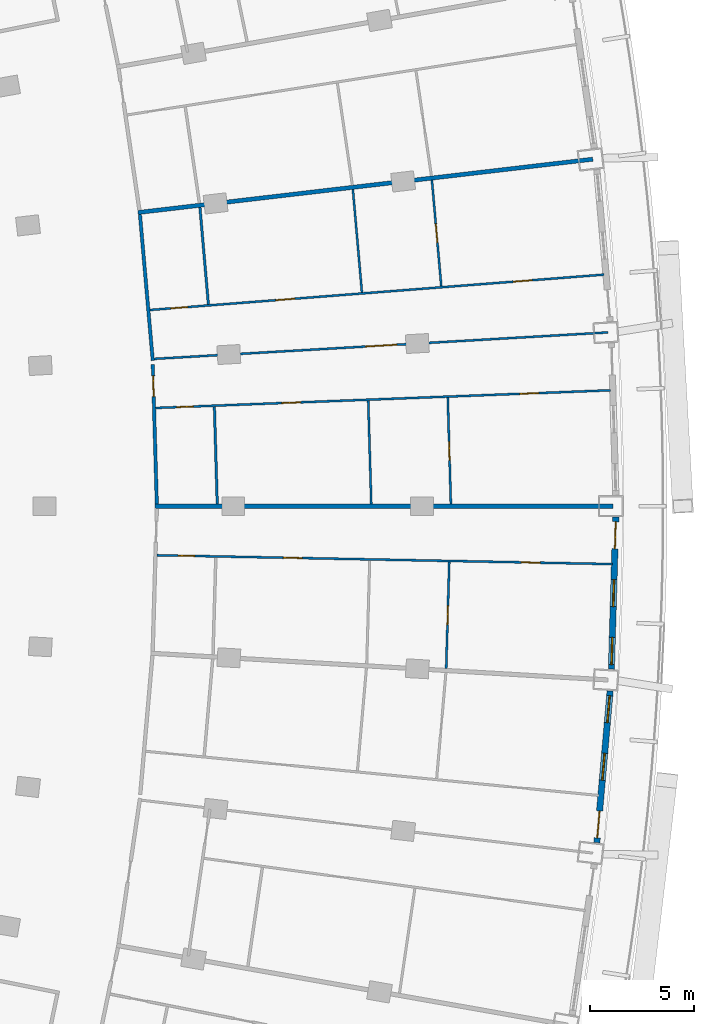
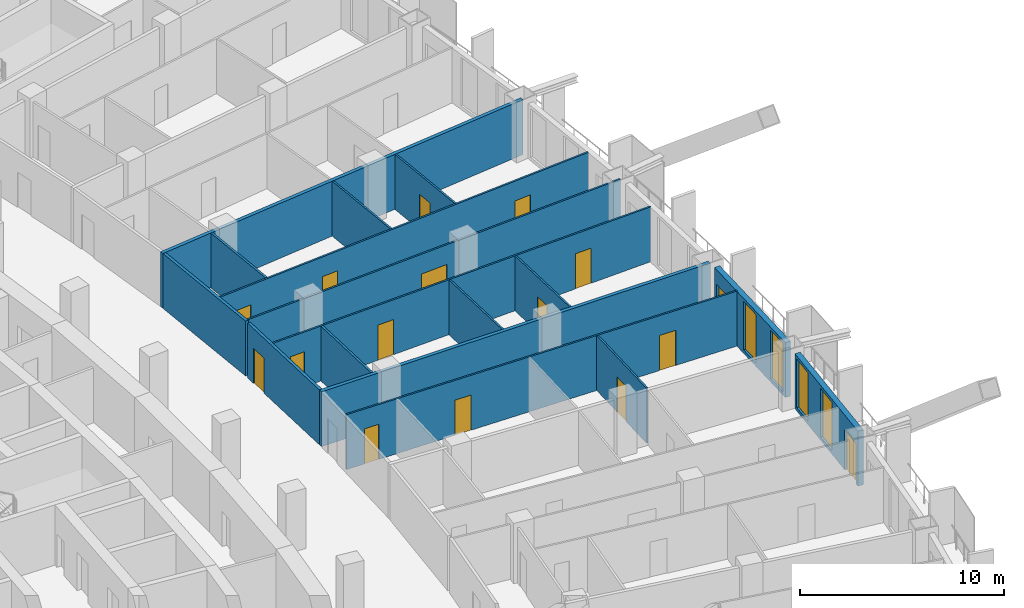
# One storey, part 18 of 25: 17 walls, 16 doors, 4 windows, 20 openings.
"""IFC4 building model written with IfcOpenShell, lengths in metres."""

from ifc_helpers import new_model, si_unit, direction, frame, frame_2d, origin, place, context, subcontext, project, spatial, rectangle, extrude, material, layer, layer_set, type_object, element, fill, save


model = new_model("IFC4")

# Units and contexts
model_context = context("Model", 3, precision=1e-05, world=origin(), true_north=direction((0.0, 1.0)))
body_context = subcontext(model_context, "Body", "Model", "MODEL_VIEW")
ifc_project = project(units=[si_unit("LENGTHUNIT", "METRE"), si_unit("AREAUNIT", "SQUARE_METRE"), si_unit("VOLUMEUNIT", "CUBIC_METRE"), si_unit("PLANEANGLEUNIT", "RADIAN"), si_unit("MASSUNIT", "GRAM", prefix="KILO")], contexts=[model_context])

# Site, building, storey
site_placement = place(None, origin())
site = spatial("IfcSite", under=ifc_project, at=site_placement, CompositionType="ELEMENT")
building_placement = place(site_placement, origin())
building = spatial("IfcBuilding", under=site, at=building_placement, Name="Alderwake Tower", CompositionType="ELEMENT")
storey_placement = place(building_placement, frame((0.0, 0.0, 42.800048828125)))
storey = spatial("IfcBuildingStorey", under=building, at=storey_placement, Name="L09", CompositionType="ELEMENT", Elevation=42.800048828125)

# Wall
ifc_material_1 = material(Name="Gypsum board on metal studs, rated")
ifc_layer_1 = layer(ifc_material_1, 0.159912109375)
ifc_layer_set_1 = layer_set([ifc_layer_1], Name="Corridor wall 160")
wall_type_1 = type_object("IfcWallType", Name="Corridor wall 160", PredefinedType="PARTITIONING", material=ifc_layer_set_1)
wall_1_placement = place(storey_placement, frame((41.001953125, 67.9873046875, 0.0), z_axis=(0.0, 0.0, 1.0), x_axis=(-0.087430787456, 0.996170596537, 0.0)))
element("IfcWall", 1, at=wall_1_placement, inside=storey, type_object=wall_type_1, Name="WL/L09/W38", PredefinedType="PARTITIONING", context=body_context, shape_type="SweptSolid", body=[
    extrude(rectangle(XDim=7.048095703125, YDim=0.159912109375, at=frame_2d((3.52392578125, 0.0))), origin(), (0.0, 0.0, 1.0), 3.280029296875),
])

# Wall, opening, door
wall_2_placement = place(storey_placement, frame((41.002685546875, 67.80029296875, 0.0), z_axis=(0.0, 0.0, 1.0), x_axis=(0.0288425569, -0.999583966914, 0.0)))
wall_2 = element("IfcWall", 2, at=wall_2_placement, inside=storey, type_object=wall_type_1, Name="WL/L09/W39", PredefinedType="PARTITIONING", context=body_context, shape_type="SweptSolid", body=[
    extrude(rectangle(XDim=6.703857421875, YDim=0.159912109375, at=frame_2d((3.35205078125, 0.0))), origin(), (0.0, 0.0, 1.0), 3.280029296875),
])
opening_1_placement = place(wall_2_placement, frame((0.54541015625, 0.0, 0.0)))
opening_1 = element("IfcOpeningElement", 3, at=opening_1_placement, cuts=wall_2, Name="Opening R02-U08.3", PredefinedType="OPENING", context=body_context, shape_type="SweptSolid", body=[
    extrude(rectangle(XDim=1.0, YDim=2.10009765625, at=frame_2d((0.5, 1.050048828125))), frame((0.0, 0.08984375, 0.0), z_axis=(0.0, -1.0, 0.0), x_axis=(1.0, 0.0, 0.0)), (0.0, 0.0, 1.0), 0.179931640625),
])
ifc_material_2 = material(Name="Solid timber leaf in steel frame", Category="steel")
door_type_1 = type_object("IfcDoorType", Name="Flat entrance door 1000 fire-rated", OperationType="SINGLE_SWING_LEFT", PredefinedType="DOOR", material=ifc_material_2)
door_1_placement = place(opening_1_placement, origin())
door_1 = element("IfcDoor", 4, at=door_1_placement, inside=storey, type_object=door_type_1, Name="DR/L09/U08.3", OperationType="SINGLE_SWING_LEFT", OverallHeight=2.10009765625, OverallWidth=1.0, PredefinedType="DOOR", context=body_context, shape_type="SweptSolid", body=[
    extrude(rectangle(XDim=1.0, YDim=2.10009765625, at=frame_2d((0.5, 1.050048828125))), frame((0.0, 0.02490234375, 0.0), z_axis=(0.0, -1.0, 0.0), x_axis=(1.0, 0.0, 0.0)), (0.0, 0.0, 1.0), 0.050048828125),
])
fill(opening_1, door_1)

# Wall, openings, door, windows
ifc_material_3 = material(Name="Precast concrete C50/60 spandrel panel", Category="concrete")
ifc_layer_2 = layer(ifc_material_3, 0.300048828125)
ifc_layer_set_2 = layer_set([ifc_layer_2], Name="External wall EW1 Precast concrete C50/60 spandrel")
wall_type_2 = type_object("IfcWallType", Name="External wall EW1 Precast concrete C50/60 spandrel", PredefinedType="SOLIDWALL", material=ifc_layer_set_2)
wall_3_placement = place(storey_placement, frame((62.322021484375, 44.847900390625, 0.0), z_axis=(0.0, 0.0, 1.0), x_axis=(0.087383747715, 0.996174723949, 0.0)))
wall_3 = element("IfcWall", 5, at=wall_3_placement, inside=storey, type_object=wall_type_2, Name="External wall 15", PredefinedType="SOLIDWALL", context=body_context, shape_type="SweptSolid", body=[
    extrude(rectangle(XDim=7.305908203125, YDim=0.300048828125, at=frame_2d((3.65283203125, 0.0))), origin(), (0.0, 0.0, 1.0), 3.280029296875),
])
opening_2_placement = place(wall_3_placement, frame((0.222900390625, 0.0, 0.0)))
opening_2 = element("IfcOpeningElement", 6, at=opening_2_placement, cuts=wall_3, Name="Opening D06", PredefinedType="OPENING", context=body_context, shape_type="SweptSolid", body=[
    extrude(rectangle(XDim=1.300048828125, YDim=2.39990234375, at=frame_2d((0.64990234375, 1.199951171875))), frame((0.0, 0.159912109375, 0.0), z_axis=(0.0, -1.0, 0.0), x_axis=(1.0, 0.0, 0.0)), (0.0, 0.0, 1.0), 0.320068359375),
])
opening_3_placement = place(wall_3_placement, frame((3.0029296875, 0.0, 0.199951171875)))
opening_3 = element("IfcOpeningElement", 7, at=opening_3_placement, cuts=wall_3, Name="Opening W1", PredefinedType="OPENING", context=body_context, shape_type="SweptSolid", body=[
    extrude(rectangle(XDim=1.300048828125, YDim=2.89990234375, at=frame_2d((0.64990234375, 1.449951171875))), frame((0.0, 0.159912109375, 0.0), z_axis=(0.0, -1.0, 0.0), x_axis=(1.0, 0.0, 0.0)), (0.0, 0.0, 1.0), 0.320068359375),
])
opening_4_placement = place(wall_3_placement, frame((5.783203125, 0.0, 0.199951171875)))
opening_4 = element("IfcOpeningElement", 8, at=opening_4_placement, cuts=wall_3, Name="Opening W1", PredefinedType="OPENING", context=body_context, shape_type="SweptSolid", body=[
    extrude(rectangle(XDim=1.300048828125, YDim=2.89990234375, at=frame_2d((0.64990234375, 1.449951171875))), frame((0.0, 0.159912109375, 0.0), z_axis=(0.0, -1.0, 0.0), x_axis=(1.0, 0.0, 0.0)), (0.0, 0.0, 1.0), 0.320068359375),
])
ifc_material_4 = material(Name="Bronze tinted glass in aluminium frame", Category="aluminium")
door_type_2 = type_object("IfcDoorType", Name="Balcony door BD sliding", OperationType="SLIDING_TO_LEFT", PredefinedType="DOOR", material=ifc_material_4)
door_2_placement = place(opening_2_placement, origin())
door_2 = element("IfcDoor", 9, at=door_2_placement, inside=storey, type_object=door_type_2, Name="Door D06", OperationType="SLIDING_TO_LEFT", OverallHeight=2.39990234375, OverallWidth=1.300048828125, PredefinedType="DOOR", context=body_context, shape_type="SweptSolid", body=[
    extrude(rectangle(XDim=1.300048828125, YDim=2.39990234375, at=frame_2d((0.64990234375, 1.199951171875))), frame((0.0, 0.02490234375, 0.0), z_axis=(0.0, -1.0, 0.0), x_axis=(1.0, 0.0, 0.0)), (0.0, 0.0, 1.0), 0.050048828125),
])
fill(opening_2, door_2)
ifc_material_5 = material(Name="Bronze tinted glass in aluminium frame", Category="aluminium")
window_type = type_object("IfcWindowType", Name="Window W1 tall fixed and vent", PartitioningType="DOUBLE_PANEL_VERTICAL", PredefinedType="WINDOW", material=ifc_material_5)
window_1_placement = place(opening_3_placement, origin())
window_1 = element("IfcWindow", 10, at=window_1_placement, inside=storey, type_object=window_type, Name="Window W1 tall fixed and vent", OverallHeight=2.89990234375, OverallWidth=1.300048828125, PartitioningType="DOUBLE_PANEL_VERTICAL", PredefinedType="WINDOW", context=body_context, shape_type="SweptSolid", body=[
    extrude(rectangle(XDim=1.300048828125, YDim=2.89990234375, at=frame_2d((0.64990234375, 1.449951171875))), frame((0.0, 0.030029296875, 0.0), z_axis=(0.0, -1.0, 0.0), x_axis=(1.0, 0.0, 0.0)), (0.0, 0.0, 1.0), 0.06005859375),
])
fill(opening_3, window_1)
window_2_placement = place(opening_4_placement, origin())
window_2 = element("IfcWindow", 11, at=window_2_placement, inside=storey, type_object=window_type, Name="Window W1 tall fixed and vent", OverallHeight=2.89990234375, OverallWidth=1.300048828125, PartitioningType="DOUBLE_PANEL_VERTICAL", PredefinedType="WINDOW", context=body_context, shape_type="SweptSolid", body=[
    extrude(rectangle(XDim=1.300048828125, YDim=2.89990234375, at=frame_2d((0.64990234375, 1.449951171875))), frame((0.0, 0.030029296875, 0.0), z_axis=(0.0, -1.0, 0.0), x_axis=(1.0, 0.0, 0.0)), (0.0, 0.0, 1.0), 0.06005859375),
])
fill(opening_4, window_2)

wall_4_placement = place(storey_placement, frame((63.021728515625, 53.1728515625, 0.0), z_axis=(0.0, 0.0, 1.0), x_axis=(0.029139800133, 0.999575345859, 0.0)))
wall_4 = element("IfcWall", 12, at=wall_4_placement, inside=storey, type_object=wall_type_2, Name="External wall 16", PredefinedType="SOLIDWALL", context=body_context, shape_type="SweptSolid", body=[
    extrude(rectangle(XDim=7.305908203125, YDim=0.300048828125, at=frame_2d((3.65283203125, 0.0))), origin(), (0.0, 0.0, 1.0), 3.280029296875),
])
opening_5_placement = place(wall_4_placement, frame((0.222900390625, 0.0, 0.199951171875)))
opening_5 = element("IfcOpeningElement", 13, at=opening_5_placement, cuts=wall_4, Name="Opening W1", PredefinedType="OPENING", context=body_context, shape_type="SweptSolid", body=[
    extrude(rectangle(XDim=1.300048828125, YDim=2.89990234375, at=frame_2d((0.64990234375, 1.449951171875))), frame((0.0, 0.159912109375, 0.0), z_axis=(0.0, -1.0, 0.0), x_axis=(1.0, 0.0, 0.0)), (0.0, 0.0, 1.0), 0.320068359375),
])
opening_6_placement = place(wall_4_placement, frame((3.0029296875, 0.0, 0.199951171875)))
opening_6 = element("IfcOpeningElement", 14, at=opening_6_placement, cuts=wall_4, Name="Opening W1", PredefinedType="OPENING", context=body_context, shape_type="SweptSolid", body=[
    extrude(rectangle(XDim=1.300048828125, YDim=2.89990234375, at=frame_2d((0.64990234375, 1.449951171875))), frame((0.0, 0.159912109375, 0.0), z_axis=(0.0, -1.0, 0.0), x_axis=(1.0, 0.0, 0.0)), (0.0, 0.0, 1.0), 0.320068359375),
])
opening_7_placement = place(wall_4_placement, frame((5.783203125, 0.0, 0.0)))
opening_7 = element("IfcOpeningElement", 15, at=opening_7_placement, cuts=wall_4, Name="Opening D07", PredefinedType="OPENING", context=body_context, shape_type="SweptSolid", body=[
    extrude(rectangle(XDim=1.300048828125, YDim=2.39990234375, at=frame_2d((0.64990234375, 1.199951171875))), frame((0.0, 0.159912109375, 0.0), z_axis=(0.0, -1.0, 0.0), x_axis=(1.0, 0.0, 0.0)), (0.0, 0.0, 1.0), 0.320068359375),
])
door_3_placement = place(opening_7_placement, origin())
door_3 = element("IfcDoor", 16, at=door_3_placement, inside=storey, type_object=door_type_2, Name="Door D07", OperationType="SLIDING_TO_LEFT", OverallHeight=2.39990234375, OverallWidth=1.300048828125, PredefinedType="DOOR", context=body_context, shape_type="SweptSolid", body=[
    extrude(rectangle(XDim=1.300048828125, YDim=2.39990234375, at=frame_2d((0.64990234375, 1.199951171875))), frame((0.0, 0.02490234375, 0.0), z_axis=(0.0, -1.0, 0.0), x_axis=(1.0, 0.0, 0.0)), (0.0, 0.0, 1.0), 0.050048828125),
])
fill(opening_7, door_3)
window_3_placement = place(opening_5_placement, origin())
window_3 = element("IfcWindow", 17, at=window_3_placement, inside=storey, type_object=window_type, Name="Window W1 tall fixed and vent", OverallHeight=2.89990234375, OverallWidth=1.300048828125, PartitioningType="DOUBLE_PANEL_VERTICAL", PredefinedType="WINDOW", context=body_context, shape_type="SweptSolid", body=[
    extrude(rectangle(XDim=1.300048828125, YDim=2.89990234375, at=frame_2d((0.64990234375, 1.449951171875))), frame((0.0, 0.030029296875, 0.0), z_axis=(0.0, -1.0, 0.0), x_axis=(1.0, 0.0, 0.0)), (0.0, 0.0, 1.0), 0.06005859375),
])
fill(opening_5, window_3)
window_4_placement = place(opening_6_placement, origin())
window_4 = element("IfcWindow", 18, at=window_4_placement, inside=storey, type_object=window_type, Name="Window W1 tall fixed and vent", OverallHeight=2.89990234375, OverallWidth=1.300048828125, PartitioningType="DOUBLE_PANEL_VERTICAL", PredefinedType="WINDOW", context=body_context, shape_type="SweptSolid", body=[
    extrude(rectangle(XDim=1.300048828125, YDim=2.89990234375, at=frame_2d((0.64990234375, 1.449951171875))), frame((0.0, 0.030029296875, 0.0), z_axis=(0.0, -1.0, 0.0), x_axis=(1.0, 0.0, 0.0)), (0.0, 0.0, 1.0), 0.06005859375),
])
fill(opening_6, window_4)

# Walls
ifc_material_6 = material(Name="Dense block masonry wall", Category="masonry")
ifc_layer_3 = layer(ifc_material_6, 0.199951171875)
ifc_layer_set_3 = layer_set([ifc_layer_3], Name="Party wall 200")
wall_type_3 = type_object("IfcWallType", Name="Party wall 200", PredefinedType="SOLIDWALL", material=ifc_layer_set_3)
wall_5_placement = place(storey_placement, frame((40.297607421875, 75.0986328125, 0.0), z_axis=(0.0, 0.0, 1.0), x_axis=(0.993197155968, 0.116444876987, 0.0)))
element("IfcWall", 19, at=wall_5_placement, inside=storey, type_object=wall_type_3, Name="WL/L09/W06", PredefinedType="SOLIDWALL", context=body_context, shape_type="SweptSolid", body=[
    extrude(rectangle(XDim=21.978759765625, YDim=0.199951171875, at=frame_2d((10.9892578125, 0.0))), origin(), (0.0, 0.0, 1.0), 3.280029296875),
])
wall_6_placement = place(storey_placement, frame((63.09912109375, 60.9990234375, 0.0), z_axis=(0.0, 0.0, 1.0), x_axis=(-1.0, 0.0, 0.0)))
element("IfcWall", 20, at=wall_6_placement, inside=storey, type_object=wall_type_3, Name="WL/L09/W11", PredefinedType="SOLIDWALL", context=body_context, shape_type="SweptSolid", body=[
    extrude(rectangle(XDim=21.980224609375, YDim=0.199951171875, at=frame_2d((10.990234375, 0.0))), origin(), (0.0, 0.0, 1.0), 3.280029296875),
])

# Wall, openings, doors
ifc_material_7 = material(Name="Gypsum board on metal studs")
ifc_layer_4 = layer(ifc_material_7, 0.10009765625)
ifc_layer_set_4 = layer_set([ifc_layer_4], Name="Unit partition 100")
wall_type_4 = type_object("IfcWallType", Name="Unit partition 100", PredefinedType="PARTITIONING", material=ifc_layer_set_4)
wall_7_placement = place(storey_placement, frame((40.867919921875, 70.419189453125, 0.0), z_axis=(0.0, 0.0, 1.0), x_axis=(0.996980121619, 0.077657176717, 0.0)))
wall_7 = element("IfcWall", 21, at=wall_7_placement, inside=storey, type_object=wall_type_4, Name="WL/L09/W70", PredefinedType="PARTITIONING", context=body_context, shape_type="SweptSolid", body=[
    extrude(rectangle(XDim=21.862060546875, YDim=0.10009765625, at=frame_2d((10.93115234375, 0.0))), origin(), (0.0, 0.0, 1.0), 3.280029296875),
])
opening_8_placement = place(wall_7_placement, frame((6.064697265625, 0.0, 0.0)))
opening_8 = element("IfcOpeningElement", 22, at=opening_8_placement, cuts=wall_7, Name="Opening R02-U08.6", PredefinedType="OPENING", context=body_context, shape_type="SweptSolid", body=[
    extrude(rectangle(XDim=0.89990234375, YDim=2.10009765625, at=frame_2d((0.449951171875, 1.050048828125))), frame((0.0, 0.06005859375, 0.0), z_axis=(0.0, -1.0, 0.0), x_axis=(1.0, 0.0, 0.0)), (0.0, 0.0, 1.0), 0.1201171875),
])
opening_9_placement = place(wall_7_placement, frame((1.009521484375, 0.0, 0.0)))
opening_9 = element("IfcOpeningElement", 23, at=opening_9_placement, cuts=wall_7, Name="Opening R02-U08.7", PredefinedType="OPENING", context=body_context, shape_type="SweptSolid", body=[
    extrude(rectangle(XDim=0.800048828125, YDim=2.10009765625, at=frame_2d((0.39990234375, 1.050048828125))), frame((0.0, 0.06005859375, 0.0), z_axis=(0.0, -1.0, 0.0), x_axis=(1.0, 0.0, 0.0)), (0.0, 0.0, 1.0), 0.1201171875),
])
opening_10_placement = place(wall_7_placement, frame((17.496826171875, 0.0, 0.0)))
opening_10 = element("IfcOpeningElement", 24, at=opening_10_placement, cuts=wall_7, Name="Opening R02-U08.8", PredefinedType="OPENING", context=body_context, shape_type="SweptSolid", body=[
    extrude(rectangle(XDim=0.89990234375, YDim=2.10009765625, at=frame_2d((0.449951171875, 1.050048828125))), frame((0.0, 0.06005859375, 0.0), z_axis=(0.0, -1.0, 0.0), x_axis=(1.0, 0.0, 0.0)), (0.0, 0.0, 1.0), 0.1201171875),
])
ifc_material_8 = material(Name="Painted timber leaf", Category="wood")
door_type_3 = type_object("IfcDoorType", Name="Bathroom door 800", OperationType="SINGLE_SWING_LEFT", PredefinedType="DOOR", material=ifc_material_8)
door_4_placement = place(opening_9_placement, origin())
door_4 = element("IfcDoor", 25, at=door_4_placement, inside=storey, type_object=door_type_3, Name="DR/L09/U08.7", OperationType="SINGLE_SWING_LEFT", OverallHeight=2.10009765625, OverallWidth=0.800048828125, PredefinedType="DOOR", context=body_context, shape_type="SweptSolid", body=[
    extrude(rectangle(XDim=0.800048828125, YDim=2.10009765625, at=frame_2d((0.39990234375, 1.050048828125))), frame((0.0, 0.02490234375, 0.0), z_axis=(0.0, -1.0, 0.0), x_axis=(1.0, 0.0, 0.0)), (0.0, 0.0, 1.0), 0.050048828125),
])
fill(opening_9, door_4)
ifc_material_9 = material(Name="Painted timber leaf", Category="wood")
door_type_4 = type_object("IfcDoorType", Name="Room door 900", OperationType="SINGLE_SWING_LEFT", PredefinedType="DOOR", material=ifc_material_9)
door_5_placement = place(opening_8_placement, origin())
door_5 = element("IfcDoor", 26, at=door_5_placement, inside=storey, type_object=door_type_4, Name="DR/L09/U08.6", OperationType="SINGLE_SWING_LEFT", OverallHeight=2.10009765625, OverallWidth=0.89990234375, PredefinedType="DOOR", context=body_context, shape_type="SweptSolid", body=[
    extrude(rectangle(XDim=0.89990234375, YDim=2.10009765625, at=frame_2d((0.449951171875, 1.050048828125))), frame((0.0, 0.02490234375, 0.0), z_axis=(0.0, -1.0, 0.0), x_axis=(1.0, 0.0, 0.0)), (0.0, 0.0, 1.0), 0.050048828125),
])
fill(opening_8, door_5)
door_6_placement = place(opening_10_placement, origin())
door_6 = element("IfcDoor", 27, at=door_6_placement, inside=storey, type_object=door_type_4, Name="DR/L09/U08.8", OperationType="SINGLE_SWING_LEFT", OverallHeight=2.10009765625, OverallWidth=0.89990234375, PredefinedType="DOOR", context=body_context, shape_type="SweptSolid", body=[
    extrude(rectangle(XDim=0.89990234375, YDim=2.10009765625, at=frame_2d((0.449951171875, 1.050048828125))), frame((0.0, 0.02490234375, 0.0), z_axis=(0.0, -1.0, 0.0), x_axis=(1.0, 0.0, 0.0)), (0.0, 0.0, 1.0), 0.050048828125),
])
fill(opening_10, door_6)

wall_8_placement = place(storey_placement, frame((62.988037109375, 66.56396484375, 0.0), z_axis=(0.0, 0.0, 1.0), x_axis=(-0.999245786786, -0.038831142015, 0.0)))
wall_8 = element("IfcWall", 28, at=wall_8_placement, inside=storey, type_object=wall_type_4, Name="WL/L09/W71", PredefinedType="PARTITIONING", context=body_context, shape_type="SweptSolid", body=[
    extrude(rectangle(XDim=21.86083984375, YDim=0.10009765625, at=frame_2d((10.930419921875, 0.0))), origin(), (0.0, 0.0, 1.0), 3.280029296875),
])
opening_11_placement = place(wall_8_placement, frame((14.8974609375, 0.0, 0.0)))
opening_11 = element("IfcOpeningElement", 29, at=opening_11_placement, cuts=wall_8, Name="Opening R02-U08.1", PredefinedType="OPENING", context=body_context, shape_type="SweptSolid", body=[
    extrude(rectangle(XDim=0.89990234375, YDim=2.10009765625, at=frame_2d((0.449951171875, 1.050048828125))), frame((0.0, 0.06005859375, 0.0), z_axis=(0.0, -1.0, 0.0), x_axis=(1.0, 0.0, 0.0)), (0.0, 0.0, 1.0), 0.1201171875),
])
opening_12_placement = place(wall_8_placement, frame((20.0517578125, 0.0, 0.0)))
opening_12 = element("IfcOpeningElement", 30, at=opening_12_placement, cuts=wall_8, Name="Opening R02-U08.4", PredefinedType="OPENING", context=body_context, shape_type="SweptSolid", body=[
    extrude(rectangle(XDim=0.800048828125, YDim=2.10009765625, at=frame_2d((0.39990234375, 1.050048828125))), frame((0.0, 0.06005859375, 0.0), z_axis=(0.0, -1.0, 0.0), x_axis=(1.0, 0.0, 0.0)), (0.0, 0.0, 1.0), 0.1201171875),
])
opening_13_placement = place(wall_8_placement, frame((3.46533203125, 0.0, 0.0)))
opening_13 = element("IfcOpeningElement", 31, at=opening_13_placement, cuts=wall_8, Name="Opening R02-U08.5", PredefinedType="OPENING", context=body_context, shape_type="SweptSolid", body=[
    extrude(rectangle(XDim=0.89990234375, YDim=2.10009765625, at=frame_2d((0.449951171875, 1.050048828125))), frame((0.0, 0.06005859375, 0.0), z_axis=(0.0, -1.0, 0.0), x_axis=(1.0, 0.0, 0.0)), (0.0, 0.0, 1.0), 0.1201171875),
])
door_7_placement = place(opening_12_placement, origin())
door_7 = element("IfcDoor", 32, at=door_7_placement, inside=storey, type_object=door_type_3, Name="DR/L09/U08.4", OperationType="SINGLE_SWING_LEFT", OverallHeight=2.10009765625, OverallWidth=0.800048828125, PredefinedType="DOOR", context=body_context, shape_type="SweptSolid", body=[
    extrude(rectangle(XDim=0.800048828125, YDim=2.10009765625, at=frame_2d((0.39990234375, 1.050048828125))), frame((0.0, 0.02490234375, 0.0), z_axis=(0.0, -1.0, 0.0), x_axis=(1.0, 0.0, 0.0)), (0.0, 0.0, 1.0), 0.050048828125),
])
fill(opening_12, door_7)
door_8_placement = place(opening_11_placement, origin())
door_8 = element("IfcDoor", 33, at=door_8_placement, inside=storey, type_object=door_type_4, Name="DR/L09/U08.1", OperationType="SINGLE_SWING_LEFT", OverallHeight=2.10009765625, OverallWidth=0.89990234375, PredefinedType="DOOR", context=body_context, shape_type="SweptSolid", body=[
    extrude(rectangle(XDim=0.89990234375, YDim=2.10009765625, at=frame_2d((0.449951171875, 1.050048828125))), frame((0.0, 0.02490234375, 0.0), z_axis=(0.0, -1.0, 0.0), x_axis=(1.0, 0.0, 0.0)), (0.0, 0.0, 1.0), 0.050048828125),
])
fill(opening_11, door_8)
door_9_placement = place(opening_13_placement, origin())
door_9 = element("IfcDoor", 34, at=door_9_placement, inside=storey, type_object=door_type_4, Name="DR/L09/U08.5", OperationType="SINGLE_SWING_LEFT", OverallHeight=2.10009765625, OverallWidth=0.89990234375, PredefinedType="DOOR", context=body_context, shape_type="SweptSolid", body=[
    extrude(rectangle(XDim=0.89990234375, YDim=2.10009765625, at=frame_2d((0.449951171875, 1.050048828125))), frame((0.0, 0.02490234375, 0.0), z_axis=(0.0, -1.0, 0.0), x_axis=(1.0, 0.0, 0.0)), (0.0, 0.0, 1.0), 0.050048828125),
])
fill(opening_13, door_9)

wall_9_placement = place(storey_placement, frame((63.069091796875, 58.218017578125, 0.0), z_axis=(0.0, 0.0, 1.0), x_axis=(-0.999811651936, 0.019407747262, 0.0)))
wall_9 = element("IfcWall", 35, at=wall_9_placement, inside=storey, type_object=wall_type_4, Name="WL/L09/W72", PredefinedType="PARTITIONING", context=body_context, shape_type="SweptSolid", body=[
    extrude(rectangle(XDim=21.86328125, YDim=0.10009765625, at=frame_2d((10.931640625, 0.0))), origin(), (0.0, 0.0, 1.0), 3.280029296875),
])
opening_14_placement = place(wall_9_placement, frame((14.897216796875, 0.0, 0.0)))
opening_14 = element("IfcOpeningElement", 36, at=opening_14_placement, cuts=wall_9, Name="Opening R02-U07.1", PredefinedType="OPENING", context=body_context, shape_type="SweptSolid", body=[
    extrude(rectangle(XDim=0.89990234375, YDim=2.10009765625, at=frame_2d((0.449951171875, 1.050048828125))), frame((0.0, 0.06005859375, 0.0), z_axis=(0.0, -1.0, 0.0), x_axis=(1.0, 0.0, 0.0)), (0.0, 0.0, 1.0), 0.1201171875),
])
opening_15_placement = place(wall_9_placement, frame((20.052978515625, 0.0, 0.0)))
opening_15 = element("IfcOpeningElement", 37, at=opening_15_placement, cuts=wall_9, Name="Opening R02-U07.4", PredefinedType="OPENING", context=body_context, shape_type="SweptSolid", body=[
    extrude(rectangle(XDim=0.800048828125, YDim=2.10009765625, at=frame_2d((0.39990234375, 1.050048828125))), frame((0.0, 0.06005859375, 0.0), z_axis=(0.0, -1.0, 0.0), x_axis=(1.0, 0.0, 0.0)), (0.0, 0.0, 1.0), 0.1201171875),
])
opening_16_placement = place(wall_9_placement, frame((3.46533203125, 0.0, 0.0)))
opening_16 = element("IfcOpeningElement", 38, at=opening_16_placement, cuts=wall_9, Name="Opening R02-U07.5", PredefinedType="OPENING", context=body_context, shape_type="SweptSolid", body=[
    extrude(rectangle(XDim=0.89990234375, YDim=2.10009765625, at=frame_2d((0.449951171875, 1.050048828125))), frame((0.0, 0.06005859375, 0.0), z_axis=(0.0, -1.0, 0.0), x_axis=(1.0, 0.0, 0.0)), (0.0, 0.0, 1.0), 0.1201171875),
])
door_10_placement = place(opening_15_placement, origin())
door_10 = element("IfcDoor", 39, at=door_10_placement, inside=storey, type_object=door_type_3, Name="DR/L09/U07.4", OperationType="SINGLE_SWING_LEFT", OverallHeight=2.10009765625, OverallWidth=0.800048828125, PredefinedType="DOOR", context=body_context, shape_type="SweptSolid", body=[
    extrude(rectangle(XDim=0.800048828125, YDim=2.10009765625, at=frame_2d((0.39990234375, 1.050048828125))), frame((0.0, 0.02490234375, 0.0), z_axis=(0.0, -1.0, 0.0), x_axis=(1.0, 0.0, 0.0)), (0.0, 0.0, 1.0), 0.050048828125),
])
fill(opening_15, door_10)
door_11_placement = place(opening_14_placement, origin())
door_11 = element("IfcDoor", 40, at=door_11_placement, inside=storey, type_object=door_type_4, Name="DR/L09/U07.1", OperationType="SINGLE_SWING_LEFT", OverallHeight=2.10009765625, OverallWidth=0.89990234375, PredefinedType="DOOR", context=body_context, shape_type="SweptSolid", body=[
    extrude(rectangle(XDim=0.89990234375, YDim=2.10009765625, at=frame_2d((0.449951171875, 1.050048828125))), frame((0.0, 0.02490234375, 0.0), z_axis=(0.0, -1.0, 0.0), x_axis=(1.0, 0.0, 0.0)), (0.0, 0.0, 1.0), 0.050048828125),
])
fill(opening_14, door_11)
door_12_placement = place(opening_16_placement, origin())
door_12 = element("IfcDoor", 41, at=door_12_placement, inside=storey, type_object=door_type_4, Name="DR/L09/U07.5", OperationType="SINGLE_SWING_LEFT", OverallHeight=2.10009765625, OverallWidth=0.89990234375, PredefinedType="DOOR", context=body_context, shape_type="SweptSolid", body=[
    extrude(rectangle(XDim=0.89990234375, YDim=2.10009765625, at=frame_2d((0.449951171875, 1.050048828125))), frame((0.0, 0.02490234375, 0.0), z_axis=(0.0, -1.0, 0.0), x_axis=(1.0, 0.0, 0.0)), (0.0, 0.0, 1.0), 0.050048828125),
])
fill(opening_16, door_12)

# Walls
wall_10_placement = place(storey_placement, frame((51.043701171875, 71.263916015625, 0.0), z_axis=(0.0, 0.0, 1.0), x_axis=(-0.087460009474, 0.99616803138, 0.0)))
element("IfcWall", 42, at=wall_10_placement, inside=storey, type_object=wall_type_4, Name="WL/L09/W81", PredefinedType="PARTITIONING", context=body_context, shape_type="SweptSolid", body=[
    extrude(rectangle(XDim=4.96044921875, YDim=0.10009765625, at=frame_2d((2.480224609375, 0.0))), origin(), (0.0, 0.0, 1.0), 3.280029296875),
])
wall_11_placement = place(storey_placement, frame((51.4921875, 61.09912109375, 0.0), z_axis=(0.0, 0.0, 1.0), x_axis=(-0.029361474552, 0.999568858965, 0.0)))
element("IfcWall", 43, at=wall_11_placement, inside=storey, type_object=wall_type_4, Name="WL/L09/W84", PredefinedType="PARTITIONING", context=body_context, shape_type="SweptSolid", body=[
    extrude(rectangle(XDim=4.964111328125, YDim=0.10009765625, at=frame_2d((2.48193359375, 0.0))), origin(), (0.0, 0.0, 1.0), 3.280029296875),
])

# Wall, opening, door
wall_12_placement = place(storey_placement, frame((54.853515625, 71.560791015625, 0.0), z_axis=(0.0, 0.0, 1.0), x_axis=(-0.087792047863, 0.996138823825, 0.0)))
wall_12 = element("IfcWall", 44, at=wall_12_placement, inside=storey, type_object=wall_type_4, Name="WL/L09/W90", PredefinedType="PARTITIONING", context=body_context, shape_type="SweptSolid", body=[
    extrude(rectangle(XDim=5.111328125, YDim=0.10009765625, at=frame_2d((2.5556640625, 0.0))), origin(), (0.0, 0.0, 1.0), 3.280029296875),
])
opening_17_placement = place(wall_12_placement, frame((2.105712890625, 0.0, 0.0)))
opening_17 = element("IfcOpeningElement", 45, at=opening_17_placement, cuts=wall_12, Name="Opening R02-U08.9", PredefinedType="OPENING", context=body_context, shape_type="SweptSolid", body=[
    extrude(rectangle(XDim=0.89990234375, YDim=2.10009765625, at=frame_2d((0.449951171875, 1.050048828125))), frame((0.0, 0.06005859375, 0.0), z_axis=(0.0, -1.0, 0.0), x_axis=(1.0, 0.0, 0.0)), (0.0, 0.0, 1.0), 0.1201171875),
])
door_13_placement = place(opening_17_placement, origin())
door_13 = element("IfcDoor", 46, at=door_13_placement, inside=storey, type_object=door_type_4, Name="DR/L09/U08.9", OperationType="SINGLE_SWING_LEFT", OverallHeight=2.10009765625, OverallWidth=0.89990234375, PredefinedType="DOOR", context=body_context, shape_type="SweptSolid", body=[
    extrude(rectangle(XDim=0.89990234375, YDim=2.10009765625, at=frame_2d((0.449951171875, 1.050048828125))), frame((0.0, 0.02490234375, 0.0), z_axis=(0.0, -1.0, 0.0), x_axis=(1.0, 0.0, 0.0)), (0.0, 0.0, 1.0), 0.050048828125),
])
fill(opening_17, door_13)

wall_13_placement = place(storey_placement, frame((55.0888671875, 53.2119140625, 0.0), z_axis=(0.0, 0.0, 1.0), x_axis=(0.02908884644, 0.99957682997, 0.0)))
wall_13 = element("IfcWall", 47, at=wall_13_placement, inside=storey, type_object=wall_type_4, Name="WL/L09/W91", PredefinedType="PARTITIONING", context=body_context, shape_type="SweptSolid", body=[
    extrude(rectangle(XDim=5.111328125, YDim=0.10009765625, at=frame_2d((2.5556640625, 0.0))), origin(), (0.0, 0.0, 1.0), 3.280029296875),
])
opening_18_placement = place(wall_13_placement, frame((2.105712890625, 0.0, 0.0)))
opening_18 = element("IfcOpeningElement", 48, at=opening_18_placement, cuts=wall_13, Name="Opening R02-U07.2", PredefinedType="OPENING", context=body_context, shape_type="SweptSolid", body=[
    extrude(rectangle(XDim=0.89990234375, YDim=2.10009765625, at=frame_2d((0.449951171875, 1.050048828125))), frame((0.0, 0.06005859375, 0.0), z_axis=(0.0, -1.0, 0.0), x_axis=(1.0, 0.0, 0.0)), (0.0, 0.0, 1.0), 0.1201171875),
])
door_14_placement = place(opening_18_placement, origin())
door_14 = element("IfcDoor", 49, at=door_14_placement, inside=storey, type_object=door_type_4, Name="DR/L09/U07.2", OperationType="SINGLE_SWING_LEFT", OverallHeight=2.10009765625, OverallWidth=0.89990234375, PredefinedType="DOOR", context=body_context, shape_type="SweptSolid", body=[
    extrude(rectangle(XDim=0.89990234375, YDim=2.10009765625, at=frame_2d((0.449951171875, 1.050048828125))), frame((0.0, 0.02490234375, 0.0), z_axis=(0.0, -1.0, 0.0), x_axis=(1.0, 0.0, 0.0)), (0.0, 0.0, 1.0), 0.050048828125),
])
fill(opening_18, door_14)

wall_14_placement = place(storey_placement, frame((55.314208984375, 61.09912109375, 0.0), z_axis=(0.0, 0.0, 1.0), x_axis=(-0.029090235345, 0.99957678955, 0.0)))
wall_14 = element("IfcWall", 50, at=wall_14_placement, inside=storey, type_object=wall_type_4, Name="WL/L09/W92", PredefinedType="PARTITIONING", context=body_context, shape_type="SweptSolid", body=[
    extrude(rectangle(XDim=5.111083984375, YDim=0.10009765625, at=frame_2d((2.5556640625, 0.0))), origin(), (0.0, 0.0, 1.0), 3.280029296875),
])
opening_19_placement = place(wall_14_placement, frame((2.105712890625, 0.0, 0.0)))
opening_19 = element("IfcOpeningElement", 51, at=opening_19_placement, cuts=wall_14, Name="Opening R02-U08.2", PredefinedType="OPENING", context=body_context, shape_type="SweptSolid", body=[
    extrude(rectangle(XDim=0.89990234375, YDim=2.10009765625, at=frame_2d((0.449951171875, 1.050048828125))), frame((0.0, 0.06005859375, 0.0), z_axis=(0.0, -1.0, 0.0), x_axis=(1.0, 0.0, 0.0)), (0.0, 0.0, 1.0), 0.1201171875),
])
door_15_placement = place(opening_19_placement, origin())
door_15 = element("IfcDoor", 52, at=door_15_placement, inside=storey, type_object=door_type_4, Name="DR/L09/U08.2", OperationType="SINGLE_SWING_LEFT", OverallHeight=2.10009765625, OverallWidth=0.89990234375, PredefinedType="DOOR", context=body_context, shape_type="SweptSolid", body=[
    extrude(rectangle(XDim=0.89990234375, YDim=2.10009765625, at=frame_2d((0.449951171875, 1.050048828125))), frame((0.0, 0.02490234375, 0.0), z_axis=(0.0, -1.0, 0.0), x_axis=(1.0, 0.0, 0.0)), (0.0, 0.0, 1.0), 0.050048828125),
])
fill(opening_19, door_15)

wall_15_placement = place(storey_placement, frame((41.074951171875, 68.07177734375, 0.0), z_axis=(0.0, 0.0, 1.0), x_axis=(0.998303726886, 0.058220862983, 0.0)))
wall_15 = element("IfcWall", 53, at=wall_15_placement, inside=storey, type_object=wall_type_4, Name="WL/L09/W93", PredefinedType="PARTITIONING", context=body_context, shape_type="SweptSolid", body=[
    extrude(rectangle(XDim=21.818115234375, YDim=0.10009765625, at=frame_2d((10.9091796875, 0.0))), origin(), (0.0, 0.0, 1.0), 3.280029296875),
])
opening_20_placement = place(wall_15_placement, frame((10.1591796875, 0.0, 0.0)))
opening_20 = element("IfcOpeningElement", 54, at=opening_20_placement, cuts=wall_15, Name="Opening R02-U08.10", PredefinedType="OPENING", context=body_context, shape_type="SweptSolid", body=[
    extrude(rectangle(XDim=1.5, YDim=2.10009765625, at=frame_2d((0.75, 1.050048828125))), frame((0.0, 0.06005859375, 0.0), z_axis=(0.0, -1.0, 0.0), x_axis=(1.0, 0.0, 0.0)), (0.0, 0.0, 1.0), 0.1201171875),
])
ifc_material_10 = material(Name="Painted timber leaves", Category="wood")
door_type_5 = type_object("IfcDoorType", Name="Double leaf door 1500", OperationType="DOUBLE_DOOR_SINGLE_SWING", PredefinedType="DOOR", material=ifc_material_10)
door_16_placement = place(opening_20_placement, origin())
door_16 = element("IfcDoor", 55, at=door_16_placement, inside=storey, type_object=door_type_5, Name="DR/L09/U08.10", OperationType="DOUBLE_DOOR_SINGLE_SWING", OverallHeight=2.10009765625, OverallWidth=1.5, PredefinedType="DOOR", context=body_context, shape_type="SweptSolid", body=[
    extrude(rectangle(XDim=1.5, YDim=2.10009765625, at=frame_2d((0.75, 1.050048828125))), frame((0.0, 0.02490234375, 0.0), z_axis=(0.0, -1.0, 0.0), x_axis=(1.0, 0.0, 0.0)), (0.0, 0.0, 1.0), 0.050048828125),
])
fill(opening_20, door_16)

# Walls
ifc_material_11 = material(Name="Moisture resistant gypsum board on metal studs")
ifc_layer_5 = layer(ifc_material_11, 0.1201171875)
ifc_layer_set_5 = layer_set([ifc_layer_5], Name="Wet room partition 120")
wall_type_5 = type_object("IfcWallType", Name="Wet room partition 120", PredefinedType="PARTITIONING", material=ifc_layer_set_5)
wall_16_placement = place(storey_placement, frame((43.672607421875, 70.687744140625, 0.0), z_axis=(0.0, 0.0, 1.0), x_axis=(-0.087010256841, 0.996207415755, 0.0)))
element("IfcWall", 56, at=wall_16_placement, inside=storey, type_object=wall_type_5, Name="WL/L09/W56", PredefinedType="PARTITIONING", context=body_context, shape_type="SweptSolid", body=[
    extrude(rectangle(XDim=4.677490234375, YDim=0.1201171875, at=frame_2d((2.3388671875, 0.0))), origin(), (0.0, 0.0, 1.0), 3.280029296875),
])
wall_17_placement = place(storey_placement, frame((44.09716796875, 61.09912109375, 0.0), z_axis=(0.0, 0.0, 1.0), x_axis=(-0.029239477833, 0.999572435062, 0.0)))
element("IfcWall", 57, at=wall_17_placement, inside=storey, type_object=wall_type_5, Name="WL/L09/W58", PredefinedType="PARTITIONING", context=body_context, shape_type="SweptSolid", body=[
    extrude(rectangle(XDim=4.67578125, YDim=0.1201171875, at=frame_2d((2.337890625, 0.0))), origin(), (0.0, 0.0, 1.0), 3.280029296875),
])

save(model, "model.ifc")
